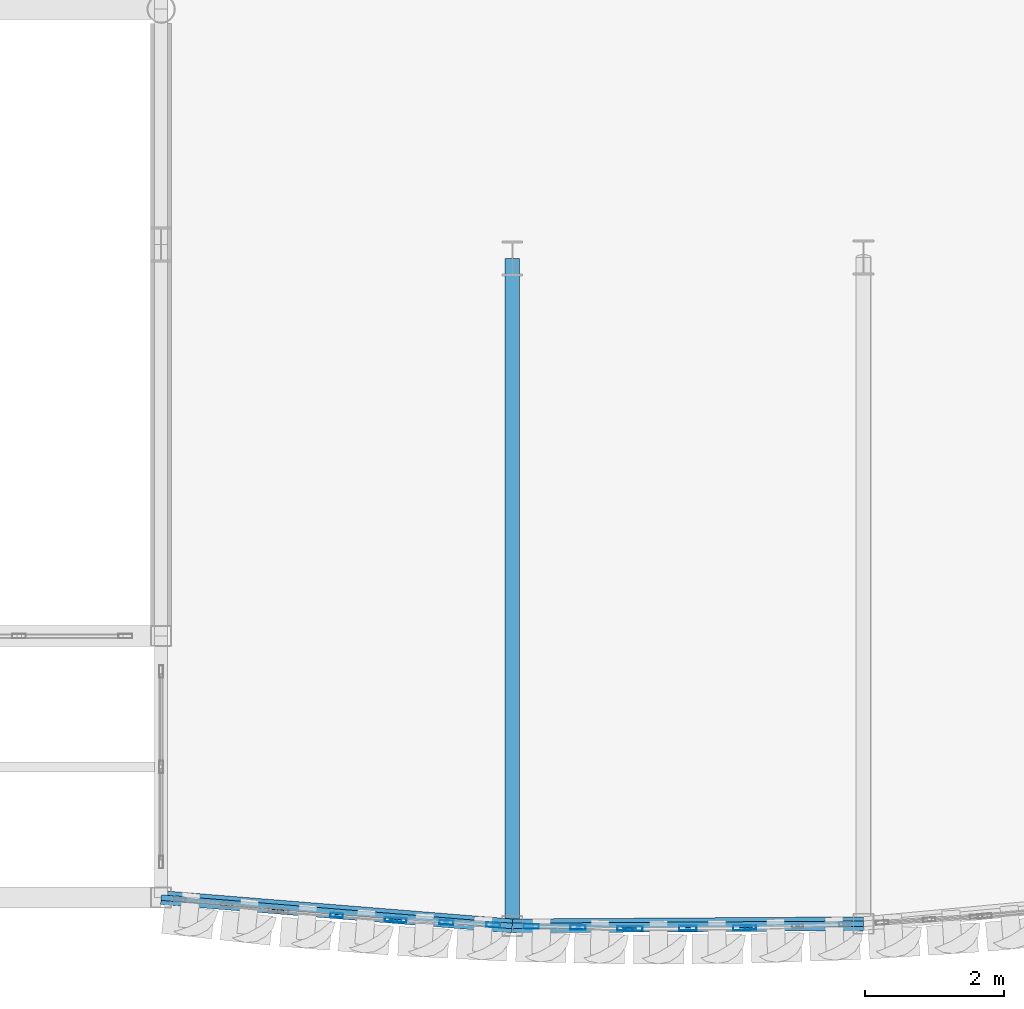
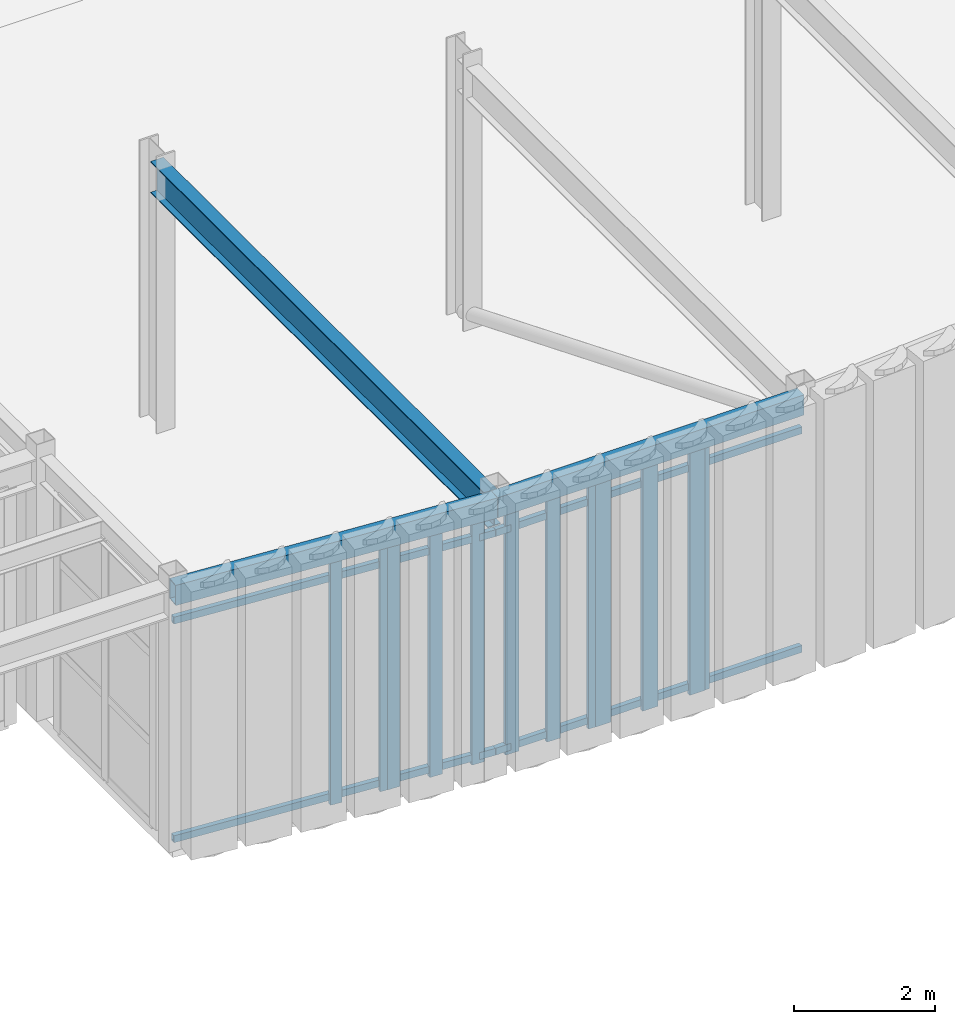
# One storey, part 44 of 121: 16 members, 3 beams, 5 elements without a shape of their own.
"""IFC4 building model written with IfcOpenShell, lengths in metres."""

from ifc_helpers import new_model, si_unit, direction, frame, origin, origin_2d, place, context, subcontext, project, spatial, hollow_rectangle, i_section, extrude, material, layer, layer_set, material_profile, profile_set, type_object, element, aggregate, save


model = new_model("IFC4")

# Units and contexts
model_context = context("Model", 3, precision=1e-05, world=origin(), true_north=direction((0.0, 1.0)))
body_context = subcontext(model_context, "Body", "Model", "MODEL_VIEW")
ifc_project = project(units=[si_unit("LENGTHUNIT", "METRE"), si_unit("AREAUNIT", "SQUARE_METRE"), si_unit("VOLUMEUNIT", "CUBIC_METRE"), si_unit("PLANEANGLEUNIT", "RADIAN"), si_unit("MASSUNIT", "GRAM", prefix="KILO")], contexts=[model_context])

# Site, building, storey
site_placement = place(None, origin())
site = spatial("IfcSite", under=ifc_project, at=site_placement, CompositionType="ELEMENT")
building_placement = place(site_placement, origin())
building = spatial("IfcBuilding", under=site, at=building_placement, Name="Solvadek Multi-Sports Hall", CompositionType="ELEMENT")
storey_placement = place(building_placement, frame((0.0, 0.0, 4.800048828125)))
storey = spatial("IfcBuildingStorey", under=building, at=storey_placement, Name="L01", CompositionType="ELEMENT", Elevation=4.800048828125)

# Curtain wall, member
ifc_material_1 = material(Name="Anodised aluminium", Category="aluminium")
ifc_layer_1 = layer(ifc_material_1, 0.159912109375, Name="Anodised aluminium")
ifc_layer_set_1 = layer_set([ifc_layer_1], Name="Anodised aluminium")
curtain_wall_type_1 = type_object("IfcCurtainWallType", Name="ENV-CW-141X420", PredefinedType="USERDEFINED", material=ifc_layer_set_1)
curtain_wall_1_placement = place(storey_placement, origin())
curtain_wall_1 = element("IfcCurtainWall", 1, at=curtain_wall_1_placement, inside=storey, type_object=curtain_wall_type_1, Name="L01 Crescent Curved Curtain Wall #65", ObjectType="CURTAIN WALL", PredefinedType="USERDEFINED")
ifc_material_profile_1 = material_profile(ifc_material_1, hollow_rectangle(XDim=0.06005859375, YDim=0.159912109375, WallThickness=0.00390625, at=origin_2d()), Name="ALU-M 160x60x4")
ifc_profile_set_1 = profile_set([ifc_material_profile_1], Name="Anodised aluminium")
member_type_1 = type_object("IfcMemberType", Name="ENV-CWM-01", PredefinedType="MULLION", material=ifc_profile_set_1)
member_1_placement = place(storey_placement, frame((94.85986328125, -13.185546875, 0.0), z_axis=(0.0, 0.0, 1.0), x_axis=(-0.035011498004, 0.999386909564, 0.0)))
member_1 = element("IfcMember", 2, at=member_1_placement, type_object=member_type_1, Name="CW-28 mullion 1", PredefinedType="MULLION", context=body_context, shape_type="SweptSolid", body=[
    extrude(hollow_rectangle(XDim=0.06005859375, YDim=0.159912109375, WallThickness=0.00390625, at=origin_2d()), origin(), (0.0, 0.0, 1.0), 4.199951171875),
])
aggregate(curtain_wall_1, [member_1])

# Curtain wall, members
ifc_layer_2 = layer(ifc_material_1, 0.159912109375, Name="Anodised aluminium")
ifc_layer_set_2 = layer_set([ifc_layer_2], Name="Anodised aluminium")
curtain_wall_type_2 = type_object("IfcCurtainWallType", Name="ENV-CW-163X420", PredefinedType="USERDEFINED", material=ifc_layer_set_2)
curtain_wall_2_placement = place(storey_placement, origin())
curtain_wall_2 = element("IfcCurtainWall", 3, at=curtain_wall_2_placement, inside=storey, type_object=curtain_wall_type_2, Name="L01 Crescent Curved Curtain Wall #57", ObjectType="CURTAIN WALL", PredefinedType="USERDEFINED")
ifc_material_profile_2 = material_profile(ifc_material_1, hollow_rectangle(XDim=0.06005859375, YDim=0.179931640625, WallThickness=0.00390625, at=origin_2d()), Name="ALU-M 180x60x4")
ifc_profile_set_2 = profile_set([ifc_material_profile_2], Name="Anodised aluminium")
member_type_2 = type_object("IfcMemberType", Name="ENV-CWM-02", PredefinedType="MULLION", material=ifc_profile_set_2)
member_2_placement = place(storey_placement, frame((88.919921875, -13.00537109375, 0.0), z_axis=(0.0, 0.0, 1.0), x_axis=(0.080468973281, 0.996757114015, 0.0)))
member_2 = element("IfcMember", 4, at=member_2_placement, type_object=member_type_2, Name="CW-15 mullion 2", PredefinedType="MULLION", context=body_context, shape_type="SweptSolid", body=[
    extrude(hollow_rectangle(XDim=0.06005859375, YDim=0.179931640625, WallThickness=0.00390625, at=origin_2d()), origin(), (0.0, 0.0, 1.0), 4.199951171875),
])
member_3_placement = place(storey_placement, frame((89.7001953125, -13.068359375, 0.0), z_axis=(0.0, 0.0, 1.0), x_axis=(0.080468973281, 0.996757114015, 0.0)))
member_3 = element("IfcMember", 5, at=member_3_placement, type_object=member_type_2, Name="CW-15 mullion 3", PredefinedType="MULLION", context=body_context, shape_type="SweptSolid", body=[
    extrude(hollow_rectangle(XDim=0.06005859375, YDim=0.179931640625, WallThickness=0.00390625, at=origin_2d()), origin(), (0.0, 0.0, 1.0), 4.199951171875),
])
aggregate(curtain_wall_2, [member_2, member_3])

curtain_wall_3_placement = place(storey_placement, origin())
curtain_wall_3 = element("IfcCurtainWall", 6, at=curtain_wall_3_placement, inside=storey, type_object=curtain_wall_type_1, Name="L01 Crescent Curved Curtain Wall #59", ObjectType="CURTAIN WALL", PredefinedType="USERDEFINED")
ifc_material_profile_3 = material_profile(ifc_material_1, hollow_rectangle(XDim=0.06494140625, YDim=0.199951171875, WallThickness=0.0048828125, at=origin_2d()), Name="ALU-M 200x65x5")
ifc_profile_set_3 = profile_set([ifc_material_profile_3], Name="Anodised aluminium")
member_type_3 = type_object("IfcMemberType", Name="ENV-CWM-03", PredefinedType="MULLION", material=ifc_profile_set_3)
member_4_placement = place(storey_placement, frame((89.822509765625, -13.076416015625, 0.0), z_axis=(0.0, 0.0, 1.0), x_axis=(0.051551584948, 0.998670333038, 0.0)))
member_4 = element("IfcMember", 7, at=member_4_placement, type_object=member_type_3, Name="CW-28 mullion 1", PredefinedType="MULLION", context=body_context, shape_type="SweptSolid", body=[
    extrude(hollow_rectangle(XDim=0.06494140625, YDim=0.199951171875, WallThickness=0.0048828125, at=origin_2d()), origin(), (0.0, 0.0, 1.0), 4.199951171875),
])
member_5_placement = place(storey_placement, frame((90.4951171875, -13.111083984375, 0.0), z_axis=(0.0, 0.0, 1.0), x_axis=(0.051551584948, 0.998670333038, 0.0)))
member_5 = element("IfcMember", 8, at=member_5_placement, type_object=member_type_3, Name="CW-28 mullion 2", PredefinedType="MULLION", context=body_context, shape_type="SweptSolid", body=[
    extrude(hollow_rectangle(XDim=0.06494140625, YDim=0.199951171875, WallThickness=0.0048828125, at=origin_2d()), origin(), (0.0, 0.0, 1.0), 4.199951171875),
])
member_6_placement = place(storey_placement, frame((91.167724609375, -13.145751953125, 0.0), z_axis=(0.0, 0.0, 1.0), x_axis=(0.051551584948, 0.998670333038, 0.0)))
member_6 = element("IfcMember", 9, at=member_6_placement, type_object=member_type_3, Name="CW-28 mullion 3", PredefinedType="MULLION", context=body_context, shape_type="SweptSolid", body=[
    extrude(hollow_rectangle(XDim=0.06494140625, YDim=0.199951171875, WallThickness=0.0048828125, at=origin_2d()), origin(), (0.0, 0.0, 1.0), 4.199951171875),
])
aggregate(curtain_wall_3, [member_4, member_5, member_6])

curtain_wall_4_placement = place(storey_placement, origin())
curtain_wall_4 = element("IfcCurtainWall", 10, at=curtain_wall_4_placement, inside=storey, type_object=curtain_wall_type_1, Name="L01 Crescent Curved Curtain Wall #61", ObjectType="CURTAIN WALL", PredefinedType="USERDEFINED")
ifc_material_profile_4 = material_profile(ifc_material_1, hollow_rectangle(XDim=0.06494140625, YDim=0.219970703125, WallThickness=0.0048828125, at=origin_2d()), Name="ALU-M 220x65x5")
ifc_profile_set_4 = profile_set([ifc_material_profile_4], Name="Anodised aluminium")
member_type_4 = type_object("IfcMemberType", Name="ENV-CWM-04", PredefinedType="MULLION", material=ifc_profile_set_4)
member_7_placement = place(storey_placement, frame((91.71240234375, -13.166015625, 0.0), z_axis=(0.0, 0.0, 1.0), x_axis=(0.022687584801, 0.999742603622, 0.0)))
member_7 = element("IfcMember", 11, at=member_7_placement, type_object=member_type_4, Name="CW-28 mullion 1", PredefinedType="MULLION", context=body_context, shape_type="SweptSolid", body=[
    extrude(hollow_rectangle(XDim=0.06494140625, YDim=0.219970703125, WallThickness=0.0048828125, at=origin_2d()), origin(), (0.0, 0.0, 1.0), 4.199951171875),
])
member_8_placement = place(storey_placement, frame((92.385009765625, -13.181396484375, 0.0), z_axis=(0.0, 0.0, 1.0), x_axis=(0.022687584801, 0.999742603622, 0.0)))
member_8 = element("IfcMember", 12, at=member_8_placement, type_object=member_type_4, Name="CW-28 mullion 2", PredefinedType="MULLION", context=body_context, shape_type="SweptSolid", body=[
    extrude(hollow_rectangle(XDim=0.06494140625, YDim=0.219970703125, WallThickness=0.0048828125, at=origin_2d()), origin(), (0.0, 0.0, 1.0), 4.199951171875),
])
member_9_placement = place(storey_placement, frame((93.0576171875, -13.196533203125, 0.0), z_axis=(0.0, 0.0, 1.0), x_axis=(0.022687584801, 0.999742603622, 0.0)))
member_9 = element("IfcMember", 13, at=member_9_placement, type_object=member_type_4, Name="CW-28 mullion 3", PredefinedType="MULLION", context=body_context, shape_type="SweptSolid", body=[
    extrude(hollow_rectangle(XDim=0.06494140625, YDim=0.219970703125, WallThickness=0.0048828125, at=origin_2d()), origin(), (0.0, 0.0, 1.0), 4.199951171875),
])
aggregate(curtain_wall_4, [member_7, member_8, member_9])

ifc_layer_3 = layer(ifc_material_1, 0.159912109375, Name="Anodised aluminium")
ifc_layer_set_3 = layer_set([ifc_layer_3], Name="Anodised aluminium")
curtain_wall_type_3 = type_object("IfcCurtainWallType", Name="ENV-CW-162X420", PredefinedType="USERDEFINED", material=ifc_layer_set_3)
curtain_wall_5_placement = place(storey_placement, origin())
curtain_wall_5 = element("IfcCurtainWall", 14, at=curtain_wall_5_placement, inside=storey, type_object=curtain_wall_type_3, Name="L01 Crescent Curved Curtain Wall #63", ObjectType="CURTAIN WALL", PredefinedType="USERDEFINED")
ifc_material_profile_5 = material_profile(ifc_material_1, hollow_rectangle(XDim=0.070068359375, YDim=0.25, WallThickness=0.0048828125, at=origin_2d()), Name="ALU-M 250x70x5")
ifc_profile_set_5 = profile_set([ifc_material_profile_5], Name="Anodised aluminium")
member_type_5 = type_object("IfcMemberType", Name="ENV-CWM-05", PredefinedType="MULLION", material=ifc_profile_set_5)
member_10_placement = place(storey_placement, frame((93.18505859375, -13.197509765625, 0.0), z_axis=(0.0, 0.0, 1.0), x_axis=(-0.0061727219, 0.999980948571, 0.0)))
member_10 = element("IfcMember", 15, at=member_10_placement, type_object=member_type_5, Name="CW-29 mullion 1", PredefinedType="MULLION", context=body_context, shape_type="SweptSolid", body=[
    extrude(hollow_rectangle(XDim=0.070068359375, YDim=0.25, WallThickness=0.0048828125, at=origin_2d()), origin(), (0.0, 0.0, 1.0), 4.199951171875),
])
member_11_placement = place(storey_placement, frame((93.9599609375, -13.19287109375, 0.0), z_axis=(0.0, 0.0, 1.0), x_axis=(-0.0061727219, 0.999980948571, 0.0)))
member_11 = element("IfcMember", 16, at=member_11_placement, type_object=member_type_5, Name="CW-29 mullion 2", PredefinedType="MULLION", context=body_context, shape_type="SweptSolid", body=[
    extrude(hollow_rectangle(XDim=0.070068359375, YDim=0.25, WallThickness=0.0048828125, at=origin_2d()), origin(), (0.0, 0.0, 1.0), 4.199951171875),
])
member_12_placement = place(storey_placement, frame((94.735107421875, -13.18798828125, 0.0), z_axis=(0.0, 0.0, 1.0), x_axis=(-0.0061727219, 0.999980948571, 0.0)))
member_12 = element("IfcMember", 17, at=member_12_placement, type_object=member_type_5, Name="CW-29 mullion 3", PredefinedType="MULLION", context=body_context, shape_type="SweptSolid", body=[
    extrude(hollow_rectangle(XDim=0.070068359375, YDim=0.25, WallThickness=0.0048828125, at=origin_2d()), origin(), (0.0, 0.0, 1.0), 4.199951171875),
])
aggregate(curtain_wall_5, [member_10, member_11, member_12])

# Beams
ifc_material_2 = material(Name="Steel E350 (350 MPa)", Category="steel")
ifc_material_profile_6 = material_profile(ifc_material_2, i_section(OverallWidth=0.2099609375, OverallDepth=0.550048828125, WebThickness=0.010986328125, FlangeThickness=0.01708984375, at=origin_2d()), Name="NPB 550")
ifc_profile_set_6 = profile_set([ifc_material_profile_6], Name="Steel E350 (350 MPa)")
beam_type_1 = type_object("IfcBeamType", Name="STR-BM-NPB550", PredefinedType="BEAM", material=ifc_profile_set_6)
beam_1_placement = place(storey_placement, frame((91.43994140625, -13.159912109375, 4.284912109375), z_axis=(0.0, 1.0, 0.0), x_axis=(-1.0, 0.0, 0.0)))
element("IfcBeam", 18, at=beam_1_placement, inside=storey, type_object=beam_type_1, Name="L01 Girder B-05 #1280", PredefinedType="BEAM", context=body_context, shape_type="SweptSolid", body=[
    extrude(i_section(OverallWidth=0.2099609375, OverallDepth=0.550048828125, WebThickness=0.010986328125, FlangeThickness=0.01708984375, at=origin_2d()), origin(), (0.0, 0.0, 1.0), 9.579833984375),
])
ifc_material_profile_7 = material_profile(ifc_material_2, hollow_rectangle(XDim=0.199951171875, YDim=0.35009765625, WallThickness=0.011962890625, at=origin_2d()), Name="RHS 350x200x12")
ifc_profile_set_7 = profile_set([ifc_material_profile_7], Name="Steel E350 (350 MPa)")
beam_type_2 = type_object("IfcBeamType", Name="STR-SPN-RHS350", PredefinedType="SPANDREL", material=ifc_profile_set_7)
beam_2_placement = place(storey_placement, frame((86.39990234375, -12.7529296875, 4.385009765625), z_axis=(0.996755588376, -0.080487868912, 0.0), x_axis=(0.080487868912, 0.996755588376, 0.0)))
element("IfcBeam", 19, at=beam_2_placement, inside=storey, type_object=beam_type_2, Name="L01 Curved Crescent Spandrel #48", PredefinedType="SPANDREL", context=body_context, shape_type="SweptSolid", body=[
    extrude(hollow_rectangle(XDim=0.199951171875, YDim=0.35009765625, WallThickness=0.011962890625, at=origin_2d()), origin(), (0.0, 0.0, 1.0), 5.056396484375),
])
beam_3_placement = place(storey_placement, frame((91.43994140625, -13.159912109375, 4.385009765625), z_axis=(0.999980778392, 0.006200229589, 0.0), x_axis=(-0.006200229589, 0.999980778392, 0.0)))
element("IfcBeam", 20, at=beam_3_placement, inside=storey, type_object=beam_type_2, Name="L01 Curved Crescent Spandrel #49", PredefinedType="SPANDREL", context=body_context, shape_type="SweptSolid", body=[
    extrude(hollow_rectangle(XDim=0.199951171875, YDim=0.35009765625, WallThickness=0.011962890625, at=origin_2d()), origin(), (0.0, 0.0, 1.0), 5.0400390625),
])

# Members
ifc_material_3 = material(Name="Steel E250 (250 MPa)", Category="steel")
ifc_material_profile_8 = material_profile(ifc_material_3, hollow_rectangle(XDim=0.080078125, YDim=0.1201171875, WallThickness=0.006103515625, at=origin_2d()), Name="RHS 120x80x6")
ifc_profile_set_8 = profile_set([ifc_material_profile_8], Name="Steel E250 (250 MPa)")
member_type_6 = type_object("IfcMemberType", Name="STR-STD-RHS120", PredefinedType="STUD", material=ifc_profile_set_8)
for number, where, z_axis, x_axis, name in (
    (21, (86.39990234375, -12.7529296875, 0.119873046875), (0.996755588376, -0.080487868912, 0.0), (0.080487868912, 0.996755588376, 0.0), "L01 Flute Subframe Rail E-1 bot"),
    (22, (86.39990234375, -12.7529296875, 3.909912109375), (0.996755588376, -0.080487868912, 0.0), (0.080487868912, 0.996755588376, 0.0), "L01 Flute Subframe Rail E-1 top"),
):
    element("IfcMember", number, at=place(storey_placement, frame(where, z_axis=z_axis, x_axis=x_axis)), inside=storey, type_object=member_type_6, Name=name, PredefinedType="STUD", context=body_context, shape_type="SweptSolid", body=[
        extrude(hollow_rectangle(XDim=0.080078125, YDim=0.1201171875, WallThickness=0.006103515625, at=origin_2d()), origin(), (0.0, 0.0, 1.0), 5.056396484375),
    ])
for number, where, z_axis, x_axis, name in (
    (23, (91.43994140625, -13.159912109375, 0.119873046875), (0.999980778392, 0.006200229589, 0.0), (-0.006200229589, 0.999980778392, 0.0), "L01 Flute Subframe Rail E-2 bot"),
    (24, (91.43994140625, -13.159912109375, 3.909912109375), (0.999980778392, 0.006200229589, 0.0), (-0.006200229589, 0.999980778392, 0.0), "L01 Flute Subframe Rail E-2 top"),
):
    element("IfcMember", number, at=place(storey_placement, frame(where, z_axis=z_axis, x_axis=x_axis)), inside=storey, type_object=member_type_6, Name=name, PredefinedType="STUD", context=body_context, shape_type="SweptSolid", body=[
        extrude(hollow_rectangle(XDim=0.080078125, YDim=0.1201171875, WallThickness=0.006103515625, at=origin_2d()), origin(), (0.0, 0.0, 1.0), 5.0400390625),
    ])

save(model, "model.ifc")
